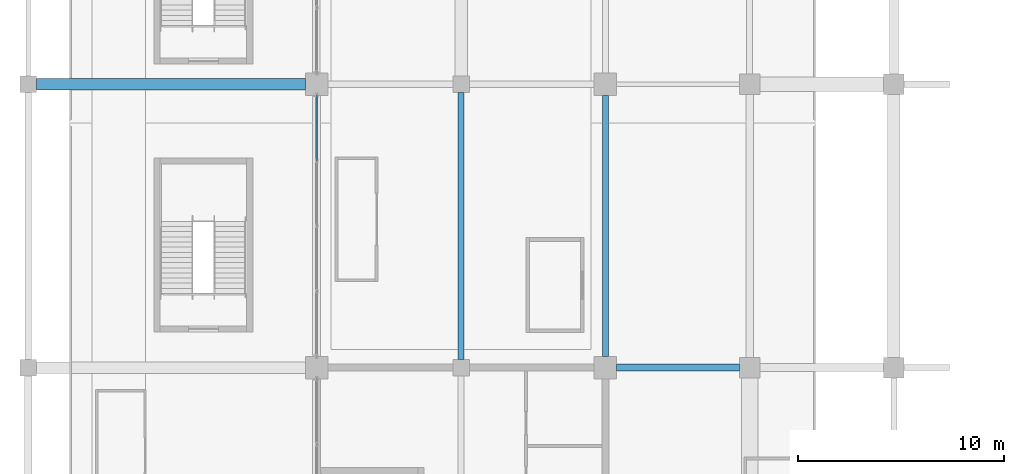
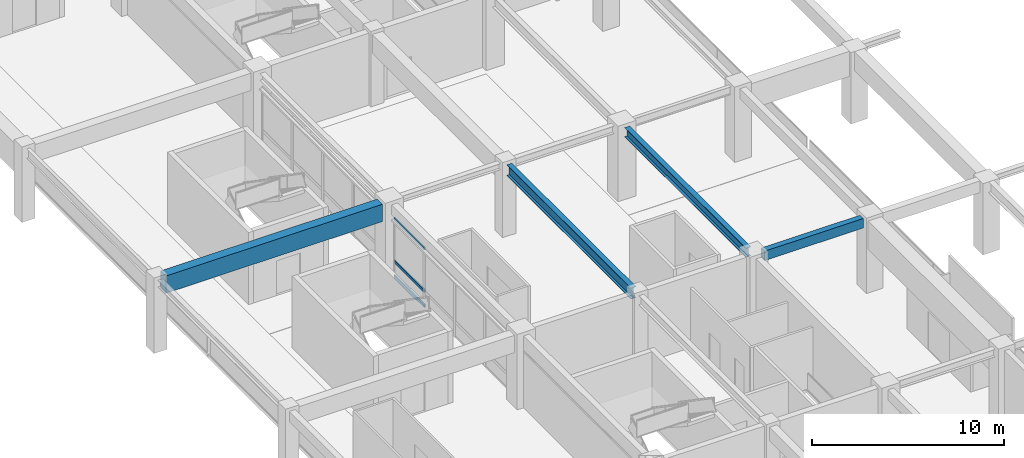
# One storey, part 28 of 91: 4 beams, 3 members, 1 element without a shape of its own.
"""IFC4 building model written with IfcOpenShell, lengths in metres."""

from ifc_helpers import new_model, si_unit, direction, frame, origin, origin_2d, place, context, subcontext, project, spatial, rectangle, hollow_rectangle, i_section, extrude, material, material_profile, profile_set, type_object, element, aggregate, save


model = new_model("IFC4")

# Units and contexts
model_context = context("Model", 3, precision=1e-05, world=origin(), true_north=direction((0.0, 1.0)))
body_context = subcontext(model_context, "Body", "Model", "MODEL_VIEW")
ifc_project = project(units=[si_unit("LENGTHUNIT", "METRE"), si_unit("AREAUNIT", "SQUARE_METRE"), si_unit("VOLUMEUNIT", "CUBIC_METRE"), si_unit("PLANEANGLEUNIT", "RADIAN"), si_unit("MASSUNIT", "GRAM", prefix="KILO")], contexts=[model_context])

# Site, building, storey
site_placement = place(None, origin())
site = spatial("IfcSite", under=ifc_project, at=site_placement, CompositionType="ELEMENT")
building_placement = place(site_placement, origin())
building = spatial("IfcBuilding", under=site, at=building_placement, Name="Linyun Crest Stadium", CompositionType="ELEMENT")
storey_placement = place(building_placement, frame((0.0, 0.0, 11.39990234375)))
storey = spatial("IfcBuildingStorey", under=building, at=storey_placement, Name="L03", CompositionType="ELEMENT", Elevation=11.39990234375)

# Beams
ifc_material_1 = material(Name="Concrete C40", Category="concrete")
ifc_material_profile_1 = material_profile(ifc_material_1, rectangle(XDim=0.35009765625, YDim=0.60009765625, at=origin_2d()), Name="RCB 600x350")
ifc_profile_set_1 = profile_set([ifc_material_profile_1], Name="Concrete C40")
beam_type_1 = type_object("IfcBeamType", Name="B01", PredefinedType="BEAM", material=ifc_profile_set_1)
beam_1_placement = place(storey_placement, frame((-69.449951171875, -25.375, 4.280029296875), z_axis=(1.0, 0.0, 0.0), x_axis=(0.0, 1.0, 0.0)))
element("IfcBeam", 1, at=beam_1_placement, inside=storey, type_object=beam_type_1, Name="Frame beam B01 L03 235", PredefinedType="BEAM", context=body_context, shape_type="SweptSolid", body=[
    extrude(rectangle(XDim=0.35009765625, YDim=0.60009765625, at=origin_2d()), origin(), (0.0, 0.0, 1.0), 5.949951171875),
])
ifc_material_2 = material(Name="Steel Q355C", Category="steel")
ifc_material_profile_2 = material_profile(ifc_material_2, i_section(OverallWidth=0.300048828125, OverallDepth=0.587890625, WebThickness=0.011962890625, FlangeThickness=0.02001953125, at=origin_2d()), Name="HM 588x300")
ifc_profile_set_2 = profile_set([ifc_material_profile_2], Name="Steel Q355C")
beam_type_2 = type_object("IfcBeamType", Name="B09", PredefinedType="BEAM", material=ifc_profile_set_2)
beam_2_placement = place(storey_placement, frame((-70.0, -24.824951171875, 4.2861328125), z_axis=(0.0, 1.0, 0.0), x_axis=(-1.0, 0.0, 0.0)))
element("IfcBeam", 2, at=beam_2_placement, inside=storey, type_object=beam_type_2, Name="Frame beam B09 L03 282", PredefinedType="BEAM", context=body_context, shape_type="SweptSolid", body=[
    extrude(i_section(OverallWidth=0.300048828125, OverallDepth=0.587890625, WebThickness=0.011962890625, FlangeThickness=0.02001953125, at=origin_2d()), origin(), (0.0, 0.0, 1.0), 12.64990234375),
])
ifc_material_3 = material(Name="Steel Q355C", Category="steel")
ifc_material_profile_3 = material_profile(ifc_material_3, i_section(OverallWidth=0.300048828125, OverallDepth=0.699951171875, WebThickness=0.012939453125, FlangeThickness=0.02392578125, at=origin_2d()), Name="HN 700x300")
ifc_profile_set_3 = profile_set([ifc_material_profile_3], Name="Steel Q355C")
beam_type_3 = type_object("IfcBeamType", Name="B12", PredefinedType="BEAM", material=ifc_profile_set_3)
beam_3_placement = place(storey_placement, frame((-77.0, -24.97509765625, 4.22998046875), z_axis=(0.0, 1.0, 0.0), x_axis=(-1.0, 0.0, 0.0)))
element("IfcBeam", 3, at=beam_3_placement, inside=storey, type_object=beam_type_3, Name="Frame beam B12 L03 276", PredefinedType="BEAM", context=body_context, shape_type="SweptSolid", body=[
    extrude(i_section(OverallWidth=0.300048828125, OverallDepth=0.699951171875, WebThickness=0.012939453125, FlangeThickness=0.02392578125, at=origin_2d()), origin(), (0.0, 0.0, 1.0), 12.9501953125),
])
ifc_material_4 = material(Name="Concrete C50", Category="concrete")
ifc_material_profile_4 = material_profile(ifc_material_4, rectangle(XDim=0.550048828125, YDim=1.10009765625, at=origin_2d()), Name="RCB 1100x550")
ifc_profile_set_4 = profile_set([ifc_material_profile_4], Name="Concrete C50")
beam_type_4 = type_object("IfcBeamType", Name="TB01", PredefinedType="USERDEFINED", material=ifc_profile_set_4)
beam_4_placement = place(storey_placement, frame((-97.60009765625, -11.625, 4.030029296875), z_axis=(1.0, 0.0, 0.0), x_axis=(0.0, 1.0, 0.0)))
element("IfcBeam", 4, at=beam_4_placement, inside=storey, type_object=beam_type_4, Name="Frame beam TB01 L03 237", ObjectType="GIRDER", PredefinedType="USERDEFINED", context=body_context, shape_type="SweptSolid", body=[
    extrude(rectangle(XDim=0.550048828125, YDim=1.10009765625, at=origin_2d()), origin(), (0.0, 0.0, 1.0), 13.050048828125),
])

# Curtain wall, members
ifc_material_5 = material(Name="Verdigris steel and low-E curtain wall assembly", Category="steel")
curtain_wall_type = type_object("IfcCurtainWallType", Name="MCW02", PredefinedType="NOTDEFINED", material=ifc_material_5)
curtain_wall_placement = place(storey_placement, origin())
curtain_wall = element("IfcCurtainWall", 5, at=curtain_wall_placement, inside=storey, type_object=curtain_wall_type, Name="CWR-083", PredefinedType="NOTDEFINED")
ifc_material_6 = material(Name="Verdigris painted steel Q355B transom", Category="steel")
ifc_material_profile_5 = material_profile(ifc_material_6, hollow_rectangle(XDim=0.080078125, YDim=0.179931640625, WallThickness=0.006103515625, at=origin_2d()), Name="RHS 180x80x6")
ifc_profile_set_5 = profile_set([ifc_material_profile_5], Name="Verdigris painted steel Q355B transom")
member_type = type_object("IfcMemberType", Name="TR02", PredefinedType="USERDEFINED", material=ifc_profile_set_5)
member_1_placement = place(storey_placement, frame((-84.0, -15.337890625, 0.0), z_axis=(0.0, 1.0, 0.0), x_axis=(-1.0, 0.0, 0.0)))
member_1 = element("IfcMember", 6, at=member_1_placement, type_object=member_type, Name="CWR-083 transom 4.1", ObjectType="TRANSOM", PredefinedType="USERDEFINED", context=body_context, shape_type="SweptSolid", body=[
    extrude(hollow_rectangle(XDim=0.080078125, YDim=0.179931640625, WallThickness=0.006103515625, at=origin_2d()), origin(), (0.0, 0.0, 1.0), 3.162841796875),
])
member_2_placement = place(storey_placement, frame((-84.0, -15.337890625, 0.9501953125), z_axis=(0.0, 1.0, 0.0), x_axis=(-1.0, 0.0, 0.0)))
member_2 = element("IfcMember", 7, at=member_2_placement, type_object=member_type, Name="CWR-083 transom 4.2", ObjectType="TRANSOM", PredefinedType="USERDEFINED", context=body_context, shape_type="SweptSolid", body=[
    extrude(hollow_rectangle(XDim=0.080078125, YDim=0.179931640625, WallThickness=0.006103515625, at=origin_2d()), origin(), (0.0, 0.0, 1.0), 3.162841796875),
])
member_3_placement = place(storey_placement, frame((-84.0, -15.337890625, 3.650146484375), z_axis=(0.0, 1.0, 0.0), x_axis=(-1.0, 0.0, 0.0)))
member_3 = element("IfcMember", 8, at=member_3_placement, type_object=member_type, Name="CWR-083 transom 4.3", ObjectType="TRANSOM", PredefinedType="USERDEFINED", context=body_context, shape_type="SweptSolid", body=[
    extrude(hollow_rectangle(XDim=0.080078125, YDim=0.179931640625, WallThickness=0.006103515625, at=origin_2d()), origin(), (0.0, 0.0, 1.0), 3.162841796875),
])
aggregate(curtain_wall, [member_1, member_2, member_3])

save(model, "model.ifc")
